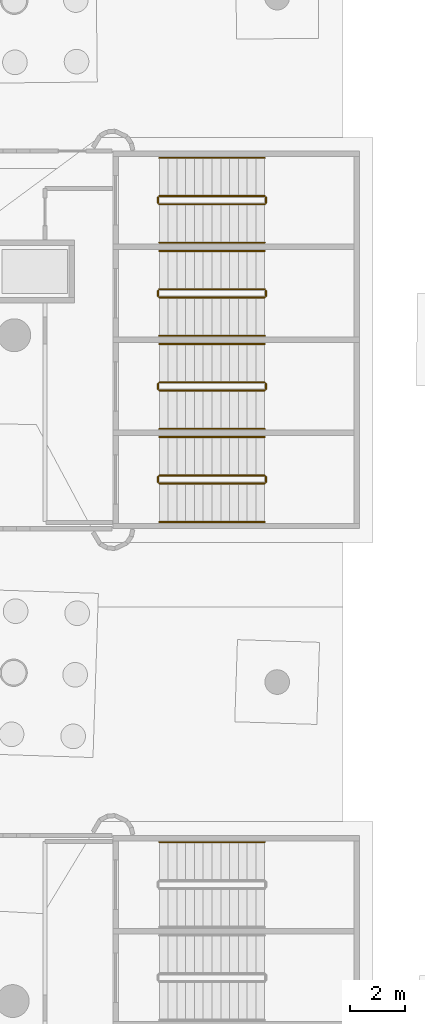
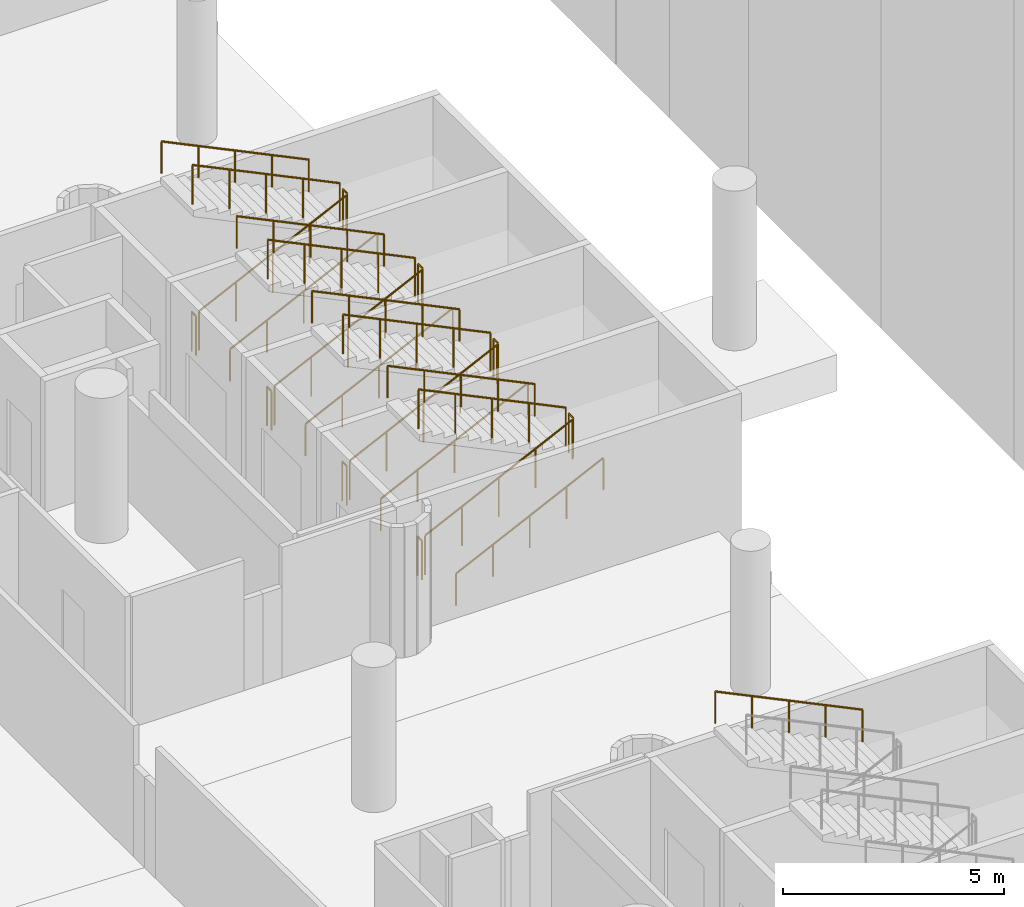
# One storey, part 126 of 142: 25 railings.
"""IFC4 building model written with IfcOpenShell, lengths in metres."""

import ifcopenshell
import ifcopenshell.guid

model = None  # the IFC model being written
_history = None  # IfcOwnerHistory: only IFC2X3 demands one
_inside = {}  # id of a spatial element -> (the spatial element, [elements in it])
_under = {}  # id of a project, library or spatial element -> (it, [spatial elements below it])
_declared = {}  # id of a project -> (the project, [libraries it declares])
_typed = {}  # id of a type object -> (the type object, [elements of that type])
_made_of = {}  # id of a material, layer set ... -> (it, [elements and type objects made of it])


def new_model(schema):
    """Start an empty IFC model of exactly this schema.

    Asked for "IFC4X3", IfcOpenShell would pick the latest addendum, in which some entities
    have other attributes; the version numbers below select the first issue.
    IFC2X3 requires an IfcOwnerHistory on every rooted entity: one is made here for all.
    """
    global model, _history
    if schema == "IFC4X3":
        model = ifcopenshell.file(schema_version=(4, 3, 0, 0))
    else:
        model = ifcopenshell.file(schema=schema)
    _inside.clear()
    _under.clear()
    _declared.clear()
    _typed.clear()
    _made_of.clear()
    _history = None
    if model.schema == "IFC2X3":
        org = make("IfcOrganization", Name="unknown")
        user = make(
            "IfcPersonAndOrganization",
            ThePerson=make("IfcPerson", FamilyName="unknown"),
            TheOrganization=org,
        )
        app = make(
            "IfcApplication",
            ApplicationDeveloper=org,
            Version="unknown",
            ApplicationFullName="unknown",
            ApplicationIdentifier="unknown",
        )
        _history = make(
            "IfcOwnerHistory",
            OwningUser=user,
            OwningApplication=app,
            ChangeAction="ADDED",
            CreationDate=0,
        )
    return model


def make(cls, **values):
    """One entity of the class cls with the attributes given. An attribute that is None is left unset."""
    return model.create_entity(
        cls, **{name: value for name, value in values.items() if value is not None}
    )


def rooted(cls, **values):
    """An entity with a GlobalId (a new one), such as an element, a storey or a relation."""
    return make(cls, GlobalId=ifcopenshell.guid.new(), OwnerHistory=_history, **values)


def si_unit(unit_type, name, prefix=None):
    """IfcSIUnit, for example si_unit("LENGTHUNIT", "METRE", prefix="MILLI")."""
    return make("IfcSIUnit", UnitType=unit_type, Prefix=prefix, Name=name)


def assignment(units):
    """IfcUnitAssignment: the units of a project."""
    return None if units is None else make("IfcUnitAssignment", Units=units)


def point(xyz):
    """IfcCartesianPoint."""
    return None if xyz is None else make("IfcCartesianPoint", Coordinates=xyz)


def direction(xyz):
    """IfcDirection."""
    return None if xyz is None else make("IfcDirection", DirectionRatios=xyz)


def frame(location, z_axis=None, x_axis=None):
    """IfcAxis2Placement3D, a coordinate frame: its origin and axes. An axis left out is left unset."""
    return make(
        "IfcAxis2Placement3D",
        Location=point(location),
        Axis=direction(z_axis),
        RefDirection=direction(x_axis),
    )


def frame_2d(location, x_axis=None):
    """IfcAxis2Placement2D, a coordinate frame in the plane: its origin and x axis."""
    return make(
        "IfcAxis2Placement2D", Location=point(location), RefDirection=direction(x_axis)
    )


def origin():
    """The frame at (0, 0, 0) with its axes left unset."""
    return frame((0.0, 0.0, 0.0))


def origin_2d():
    """The frame at (0, 0) in the plane with its x axis left unset."""
    return frame_2d((0.0, 0.0))


def place(relative_to, where):
    """IfcLocalPlacement: puts the frame where relative to a parent placement (None: the world)."""
    return make(
        "IfcLocalPlacement", PlacementRelTo=relative_to, RelativePlacement=where
    )


def context(
    kind, dimensions, precision=None, world=None, true_north=None, identifier=None
):
    """IfcGeometricRepresentationContext, for example the 3D "Model" context."""
    return make(
        "IfcGeometricRepresentationContext",
        ContextIdentifier=identifier,
        ContextType=kind,
        CoordinateSpaceDimension=dimensions,
        Precision=precision,
        WorldCoordinateSystem=world,
        TrueNorth=true_north,
    )


def subcontext(parent, identifier, kind, view, scale=None):
    """IfcGeometricRepresentationSubContext, for example "Body" below "Model"."""
    return make(
        "IfcGeometricRepresentationSubContext",
        ContextIdentifier=identifier,
        ContextType=kind,
        ParentContext=parent,
        TargetScale=scale,
        TargetView=view,
    )


def project(units=None, contexts=None):
    """IfcProject with its units and contexts."""
    return rooted(
        "IfcProject",
        Name="project",
        RepresentationContexts=contexts,
        UnitsInContext=assignment(units),
    )


def spatial(cls, under=None, at=None, **own):
    """A site, building, storey or space (cls), placed at a placement, below another one or the project."""
    s = rooted(cls, ObjectPlacement=at, **own)
    if under is not None:
        _under.setdefault(under.id(), (under, []))[1].append(s)
    return s


def profile(cls, at=None, kind="AREA", **sizes):
    """A parametric profile (cls). Its sizes go by their IFC names, for example OverallWidth=200.0."""
    return make(cls, ProfileType=kind, Position=at, **sizes)


def circle(**sizes):
    """IfcCircleProfileDef."""
    return profile("IfcCircleProfileDef", **sizes)


def extrude(swept, where, along, depth):
    """IfcExtrudedAreaSolid: the profile swept, set in the frame where, extruded along a direction by depth."""
    return make(
        "IfcExtrudedAreaSolid",
        SweptArea=swept,
        Position=where,
        ExtrudedDirection=direction(along),
        Depth=depth,
    )


def shape(context_of_items, identifier, shape_type, items):
    """IfcShapeRepresentation: the items that make up one representation, for example the "Body"."""
    return make(
        "IfcShapeRepresentation",
        ContextOfItems=context_of_items,
        RepresentationIdentifier=identifier,
        RepresentationType=shape_type,
        Items=items,
    )


def material(Name=None, Category=None):
    """IfcMaterial."""
    return make("IfcMaterial", Name=Name, Category=Category)


def made_of(thing, what):
    """Note that an element or type object is made of a material, layer set ...; save() writes the relation."""
    if what is not None:
        _made_of.setdefault(what.id(), (what, []))[1].append(thing)
    return thing


def type_object(cls, material=None, **own):
    """A type object (cls), such as IfcWallType, which elements share."""
    return made_of(rooted(cls, **own), material)


def element(
    cls,
    number,
    at=None,
    inside=None,
    cuts=None,
    type_object=None,
    material=None,
    context=None,
    identifier="Body",
    shape_type=None,
    held_by="IfcProductDefinitionShape",
    body=None,
    shapes=None,
    **own,
):
    """One element of the class cls, such as IfcWall. Its Tag is "e" and its number.

    at: its placement. inside: the storey or other place that contains it. cuts: it is an
    opening in that element (IfcRelVoidsElement). A single representation is given by context,
    identifier, shape_type and body (its items); several are given by shapes. held_by: the class
    of the entity that holds the representations. save() writes the other relations.
    """
    e = rooted(cls, Tag="e%d" % number, ObjectPlacement=at, **own)
    if body is not None:
        shapes = [shape(context, identifier, shape_type, body)]
    if shapes is not None:
        e.Representation = make(held_by, Representations=shapes)
    if inside is not None:
        _inside.setdefault(inside.id(), (inside, []))[1].append(e)
    if cuts is not None:
        rooted(
            "IfcRelVoidsElement", RelatingBuildingElement=cuts, RelatedOpeningElement=e
        )
    if type_object is not None:
        _typed.setdefault(type_object.id(), (type_object, []))[1].append(e)
    return made_of(e, material)


def aggregate(whole, parts):
    """IfcRelAggregates: a whole, such as a stair, and the parts it consists of."""
    return rooted("IfcRelAggregates", RelatingObject=whole, RelatedObjects=parts)


def save(model, path):
    """Write the relations noted so far, then the file.

    IfcRelAggregates (storeys below a building ...), IfcRelContainedInSpatialStructure (elements
    in a storey), IfcRelDefinesByType, IfcRelAssociatesMaterial and IfcRelDeclares: one each for
    every whole, place, type object, material and project.
    """
    for whole, parts in _under.values():
        aggregate(whole, parts)
    for where, things in _inside.values():
        rooted(
            "IfcRelContainedInSpatialStructure",
            RelatedElements=things,
            RelatingStructure=where,
        )
    for kind, things in _typed.values():
        rooted("IfcRelDefinesByType", RelatedObjects=things, RelatingType=kind)
    for what, things in _made_of.values():
        rooted("IfcRelAssociatesMaterial", RelatedObjects=things, RelatingMaterial=what)
    for by, libraries in _declared.values():
        rooted("IfcRelDeclares", RelatingContext=by, RelatedDefinitions=libraries)
    model.write(path)


model = new_model("IFC4")

# Units and contexts
model_context = context("Model", 3, precision=1e-05, world=origin(), true_north=direction((0.0, 1.0)))
body_context = subcontext(model_context, "Body", "Model", "MODEL_VIEW")
ifc_project = project(units=[si_unit("LENGTHUNIT", "METRE"), si_unit("AREAUNIT", "SQUARE_METRE"), si_unit("VOLUMEUNIT", "CUBIC_METRE"), si_unit("PLANEANGLEUNIT", "RADIAN"), si_unit("MASSUNIT", "GRAM", prefix="KILO")], contexts=[model_context])

# Site, building, storey
site_placement = place(None, origin())
site = spatial("IfcSite", under=ifc_project, at=site_placement, CompositionType="ELEMENT")
building_placement = place(site_placement, origin())
building = spatial("IfcBuilding", under=site, at=building_placement, Name="Meseta Stadium", CompositionType="ELEMENT")
storey_placement = place(building_placement, frame((0.0, 0.0, -4.0)))
storey = spatial("IfcBuildingStorey", under=building, at=storey_placement, Name="B1", CompositionType="ELEMENT", Elevation=-4.0)

# Railings
ifc_material_1 = material(Name="Steel S355", Category="steel")
railing_type_1 = type_object("IfcRailingType", Name="Stair guard 1100", PredefinedType="GUARDRAIL", material=ifc_material_1)
railing_1_placement = place(storey_placement, frame((90.300048828125, -11.5, 0.15380859375)))
element("IfcRailing", 1, at=railing_1_placement, inside=storey, type_object=railing_type_1, Name="ST9 B1 guard 1", PredefinedType="GUARDRAIL", context=body_context, shape_type="SweptSolid", body=[
    extrude(circle(Radius=0.02392578125, at=origin_2d()), frame((0.0, 0.0, 1.076171875), z_axis=(0.901242096526, 0.0, 0.43331591645), x_axis=(0.0, 1.0, 0.0)), (0.0, 0.0, 1.0), 4.260498046875),
    extrude(circle(Radius=0.02099609375, at=origin_2d()), origin(), (0.0, 0.0, 1.0), 1.052001953125),
    extrude(circle(Radius=0.02099609375, at=origin_2d()), frame((0.9599609375, 0.0, 0.46142578125)), (0.0, 0.0, 1.0), 1.052001953125),
    extrude(circle(Radius=0.02099609375, at=origin_2d()), frame((1.919921875, 0.0, 0.923095703125)), (0.0, 0.0, 1.0), 1.052001953125),
    extrude(circle(Radius=0.02099609375, at=origin_2d()), frame((2.8798828125, 0.0, 1.384765625)), (0.0, 0.0, 1.0), 1.052001953125),
    extrude(circle(Radius=0.02099609375, at=origin_2d()), frame((3.83984375, 0.0, 1.84619140625)), (0.0, 0.0, 1.0), 1.052001953125),
])
railing_2_placement = place(storey_placement, frame((94.18994140625, -11.449951171875, 2.0)))
element("IfcRailing", 2, at=railing_2_placement, inside=storey, type_object=railing_type_1, Name="ST9 B1 guard 2", PredefinedType="GUARDRAIL", context=body_context, shape_type="SweptSolid", body=[
    extrude(circle(Radius=0.02392578125, at=origin_2d()), frame((0.0, 0.0, 1.076171875), z_axis=(0.0, 1.0, 0.0), x_axis=(-1.0, 0.0, 0.0)), (0.0, 0.0, 1.0), 0.199951171875),
    extrude(circle(Radius=0.02099609375, at=origin_2d()), origin(), (0.0, 0.0, 1.0), 1.052001953125),
    extrude(circle(Radius=0.02099609375, at=origin_2d()), frame((0.0, 0.199951171875, 0.0)), (0.0, 0.0, 1.0), 1.052001953125),
])
railing_3_placement = place(storey_placement, frame((94.139892578125, -11.199951171875, 2.15380859375)))
element("IfcRailing", 3, at=railing_3_placement, inside=storey, type_object=railing_type_1, Name="ST9 B1 guard 3", PredefinedType="GUARDRAIL", context=body_context, shape_type="SweptSolid", body=[
    extrude(circle(Radius=0.02392578125, at=origin_2d()), frame((0.0, 0.0, 1.076171875), z_axis=(-0.901242096526, 0.0, 0.43331591645), x_axis=(0.0, -1.0, 0.0)), (0.0, 0.0, 1.0), 4.260498046875),
    extrude(circle(Radius=0.02099609375, at=origin_2d()), origin(), (0.0, 0.0, 1.0), 1.052001953125),
    extrude(circle(Radius=0.02099609375, at=origin_2d()), frame((-0.9599609375, 0.0, 0.46142578125)), (0.0, 0.0, 1.0), 1.052001953125),
    extrude(circle(Radius=0.02099609375, at=origin_2d()), frame((-1.919921875, 0.0, 0.923095703125)), (0.0, 0.0, 1.0), 1.052001953125),
    extrude(circle(Radius=0.02099609375, at=origin_2d()), frame((-2.8798828125, 0.0, 1.384765625)), (0.0, 0.0, 1.0), 1.052001953125),
    extrude(circle(Radius=0.02099609375, at=origin_2d()), frame((-3.83984375, 0.0, 1.84619140625)), (0.0, 0.0, 1.0), 1.052001953125),
])
railing_4_placement = place(storey_placement, frame((90.25, -11.449951171875, 0.0)))
element("IfcRailing", 4, at=railing_4_placement, inside=storey, type_object=railing_type_1, Name="ST9 B1 guard 4", PredefinedType="GUARDRAIL", context=body_context, shape_type="SweptSolid", body=[
    extrude(circle(Radius=0.02392578125, at=origin_2d()), frame((0.0, 0.0, 1.076171875), z_axis=(0.0, 1.0, 0.0), x_axis=(-1.0, 0.0, 0.0)), (0.0, 0.0, 1.0), 0.199951171875),
    extrude(circle(Radius=0.02099609375, at=origin_2d()), origin(), (0.0, 0.0, 1.0), 1.052001953125),
    extrude(circle(Radius=0.02099609375, at=origin_2d()), frame((0.0, 0.199951171875, 0.0)), (0.0, 0.0, 1.0), 1.052001953125),
])
railing_5_placement = place(storey_placement, frame((90.300048828125, -8.10009765625, 0.15380859375)))
element("IfcRailing", 5, at=railing_5_placement, inside=storey, type_object=railing_type_1, Name="ST10 B1 guard 1", PredefinedType="GUARDRAIL", context=body_context, shape_type="SweptSolid", body=[
    extrude(circle(Radius=0.02392578125, at=origin_2d()), frame((0.0, 0.0, 1.076171875), z_axis=(0.901242096526, 0.0, 0.43331591645), x_axis=(0.0, 1.0, 0.0)), (0.0, 0.0, 1.0), 4.260498046875),
    extrude(circle(Radius=0.02099609375, at=origin_2d()), origin(), (0.0, 0.0, 1.0), 1.052001953125),
    extrude(circle(Radius=0.02099609375, at=origin_2d()), frame((0.9599609375, 0.0, 0.46142578125)), (0.0, 0.0, 1.0), 1.052001953125),
    extrude(circle(Radius=0.02099609375, at=origin_2d()), frame((1.919921875, 0.0, 0.923095703125)), (0.0, 0.0, 1.0), 1.052001953125),
    extrude(circle(Radius=0.02099609375, at=origin_2d()), frame((2.8798828125, 0.0, 1.384765625)), (0.0, 0.0, 1.0), 1.052001953125),
    extrude(circle(Radius=0.02099609375, at=origin_2d()), frame((3.83984375, 0.0, 1.84619140625)), (0.0, 0.0, 1.0), 1.052001953125),
])
railing_6_placement = place(storey_placement, frame((94.18994140625, -8.050048828125, 2.0)))
element("IfcRailing", 6, at=railing_6_placement, inside=storey, type_object=railing_type_1, Name="ST10 B1 guard 2", PredefinedType="GUARDRAIL", context=body_context, shape_type="SweptSolid", body=[
    extrude(circle(Radius=0.02392578125, at=origin_2d()), frame((0.0, 0.0, 1.076171875), z_axis=(0.0, 1.0, 0.0), x_axis=(-1.0, 0.0, 0.0)), (0.0, 0.0, 1.0), 0.199951171875),
    extrude(circle(Radius=0.02099609375, at=origin_2d()), origin(), (0.0, 0.0, 1.0), 1.052001953125),
    extrude(circle(Radius=0.02099609375, at=origin_2d()), frame((0.0, 0.199951171875, 0.0)), (0.0, 0.0, 1.0), 1.052001953125),
])
railing_7_placement = place(storey_placement, frame((94.139892578125, -7.800048828125, 2.15380859375)))
element("IfcRailing", 7, at=railing_7_placement, inside=storey, type_object=railing_type_1, Name="ST10 B1 guard 3", PredefinedType="GUARDRAIL", context=body_context, shape_type="SweptSolid", body=[
    extrude(circle(Radius=0.02392578125, at=origin_2d()), frame((0.0, 0.0, 1.076171875), z_axis=(-0.901242096526, 0.0, 0.43331591645), x_axis=(0.0, -1.0, 0.0)), (0.0, 0.0, 1.0), 4.260498046875),
    extrude(circle(Radius=0.02099609375, at=origin_2d()), origin(), (0.0, 0.0, 1.0), 1.052001953125),
    extrude(circle(Radius=0.02099609375, at=origin_2d()), frame((-0.9599609375, 0.0, 0.46142578125)), (0.0, 0.0, 1.0), 1.052001953125),
    extrude(circle(Radius=0.02099609375, at=origin_2d()), frame((-1.919921875, 0.0, 0.923095703125)), (0.0, 0.0, 1.0), 1.052001953125),
    extrude(circle(Radius=0.02099609375, at=origin_2d()), frame((-2.8798828125, 0.0, 1.384765625)), (0.0, 0.0, 1.0), 1.052001953125),
    extrude(circle(Radius=0.02099609375, at=origin_2d()), frame((-3.83984375, 0.0, 1.84619140625)), (0.0, 0.0, 1.0), 1.052001953125),
])
railing_8_placement = place(storey_placement, frame((90.25, -8.050048828125, 0.0)))
element("IfcRailing", 8, at=railing_8_placement, inside=storey, type_object=railing_type_1, Name="ST10 B1 guard 4", PredefinedType="GUARDRAIL", context=body_context, shape_type="SweptSolid", body=[
    extrude(circle(Radius=0.02392578125, at=origin_2d()), frame((0.0, 0.0, 1.076171875), z_axis=(0.0, 1.0, 0.0), x_axis=(-1.0, 0.0, 0.0)), (0.0, 0.0, 1.0), 0.199951171875),
    extrude(circle(Radius=0.02099609375, at=origin_2d()), origin(), (0.0, 0.0, 1.0), 1.052001953125),
    extrude(circle(Radius=0.02099609375, at=origin_2d()), frame((0.0, 0.199951171875, 0.0)), (0.0, 0.0, 1.0), 1.052001953125),
])
railing_9_placement = place(storey_placement, frame((90.300048828125, -4.699951171875, 0.15380859375)))
element("IfcRailing", 9, at=railing_9_placement, inside=storey, type_object=railing_type_1, Name="ST11 B1 guard 1", PredefinedType="GUARDRAIL", context=body_context, shape_type="SweptSolid", body=[
    extrude(circle(Radius=0.02392578125, at=origin_2d()), frame((0.0, 0.0, 1.076171875), z_axis=(0.901242096526, 0.0, 0.43331591645), x_axis=(0.0, 1.0, 0.0)), (0.0, 0.0, 1.0), 4.260498046875),
    extrude(circle(Radius=0.02099609375, at=origin_2d()), origin(), (0.0, 0.0, 1.0), 1.052001953125),
    extrude(circle(Radius=0.02099609375, at=origin_2d()), frame((0.9599609375, 0.0, 0.46142578125)), (0.0, 0.0, 1.0), 1.052001953125),
    extrude(circle(Radius=0.02099609375, at=origin_2d()), frame((1.919921875, 0.0, 0.923095703125)), (0.0, 0.0, 1.0), 1.052001953125),
    extrude(circle(Radius=0.02099609375, at=origin_2d()), frame((2.8798828125, 0.0, 1.384765625)), (0.0, 0.0, 1.0), 1.052001953125),
    extrude(circle(Radius=0.02099609375, at=origin_2d()), frame((3.83984375, 0.0, 1.84619140625)), (0.0, 0.0, 1.0), 1.052001953125),
])
railing_10_placement = place(storey_placement, frame((94.18994140625, -4.64990234375, 2.0)))
element("IfcRailing", 10, at=railing_10_placement, inside=storey, type_object=railing_type_1, Name="ST11 B1 guard 2", PredefinedType="GUARDRAIL", context=body_context, shape_type="SweptSolid", body=[
    extrude(circle(Radius=0.02392578125, at=origin_2d()), frame((0.0, 0.0, 1.076171875), z_axis=(0.0, 1.0, 0.0), x_axis=(-1.0, 0.0, 0.0)), (0.0, 0.0, 1.0), 0.199951171875),
    extrude(circle(Radius=0.02099609375, at=origin_2d()), origin(), (0.0, 0.0, 1.0), 1.052001953125),
    extrude(circle(Radius=0.02099609375, at=origin_2d()), frame((0.0, 0.199951171875, 0.0)), (0.0, 0.0, 1.0), 1.052001953125),
])
railing_11_placement = place(storey_placement, frame((94.139892578125, -4.39990234375, 2.15380859375)))
element("IfcRailing", 11, at=railing_11_placement, inside=storey, type_object=railing_type_1, Name="ST11 B1 guard 3", PredefinedType="GUARDRAIL", context=body_context, shape_type="SweptSolid", body=[
    extrude(circle(Radius=0.02392578125, at=origin_2d()), frame((0.0, 0.0, 1.076171875), z_axis=(-0.901242096526, 0.0, 0.43331591645), x_axis=(0.0, -1.0, 0.0)), (0.0, 0.0, 1.0), 4.260498046875),
    extrude(circle(Radius=0.02099609375, at=origin_2d()), origin(), (0.0, 0.0, 1.0), 1.052001953125),
    extrude(circle(Radius=0.02099609375, at=origin_2d()), frame((-0.9599609375, 0.0, 0.46142578125)), (0.0, 0.0, 1.0), 1.052001953125),
    extrude(circle(Radius=0.02099609375, at=origin_2d()), frame((-1.919921875, 0.0, 0.923095703125)), (0.0, 0.0, 1.0), 1.052001953125),
    extrude(circle(Radius=0.02099609375, at=origin_2d()), frame((-2.8798828125, 0.0, 1.384765625)), (0.0, 0.0, 1.0), 1.052001953125),
    extrude(circle(Radius=0.02099609375, at=origin_2d()), frame((-3.83984375, 0.0, 1.84619140625)), (0.0, 0.0, 1.0), 1.052001953125),
])
railing_12_placement = place(storey_placement, frame((90.25, -4.64990234375, 0.0)))
element("IfcRailing", 12, at=railing_12_placement, inside=storey, type_object=railing_type_1, Name="ST11 B1 guard 4", PredefinedType="GUARDRAIL", context=body_context, shape_type="SweptSolid", body=[
    extrude(circle(Radius=0.02392578125, at=origin_2d()), frame((0.0, 0.0, 1.076171875), z_axis=(0.0, 1.0, 0.0), x_axis=(-1.0, 0.0, 0.0)), (0.0, 0.0, 1.0), 0.199951171875),
    extrude(circle(Radius=0.02099609375, at=origin_2d()), origin(), (0.0, 0.0, 1.0), 1.052001953125),
    extrude(circle(Radius=0.02099609375, at=origin_2d()), frame((0.0, 0.199951171875, 0.0)), (0.0, 0.0, 1.0), 1.052001953125),
])
railing_13_placement = place(storey_placement, frame((90.300048828125, -1.300048828125, 0.15380859375)))
element("IfcRailing", 13, at=railing_13_placement, inside=storey, type_object=railing_type_1, Name="ST12 B1 guard 1", PredefinedType="GUARDRAIL", context=body_context, shape_type="SweptSolid", body=[
    extrude(circle(Radius=0.02392578125, at=origin_2d()), frame((0.0, 0.0, 1.076171875), z_axis=(0.901242096526, 0.0, 0.43331591645), x_axis=(0.0, 1.0, 0.0)), (0.0, 0.0, 1.0), 4.260498046875),
    extrude(circle(Radius=0.02099609375, at=origin_2d()), origin(), (0.0, 0.0, 1.0), 1.052001953125),
    extrude(circle(Radius=0.02099609375, at=origin_2d()), frame((0.9599609375, 0.0, 0.46142578125)), (0.0, 0.0, 1.0), 1.052001953125),
    extrude(circle(Radius=0.02099609375, at=origin_2d()), frame((1.919921875, 0.0, 0.923095703125)), (0.0, 0.0, 1.0), 1.052001953125),
    extrude(circle(Radius=0.02099609375, at=origin_2d()), frame((2.8798828125, 0.0, 1.384765625)), (0.0, 0.0, 1.0), 1.052001953125),
    extrude(circle(Radius=0.02099609375, at=origin_2d()), frame((3.83984375, 0.0, 1.84619140625)), (0.0, 0.0, 1.0), 1.052001953125),
])
railing_14_placement = place(storey_placement, frame((94.18994140625, -1.25, 2.0)))
element("IfcRailing", 14, at=railing_14_placement, inside=storey, type_object=railing_type_1, Name="ST12 B1 guard 2", PredefinedType="GUARDRAIL", context=body_context, shape_type="SweptSolid", body=[
    extrude(circle(Radius=0.02392578125, at=origin_2d()), frame((0.0, 0.0, 1.076171875), z_axis=(0.0, 1.0, 0.0), x_axis=(-1.0, 0.0, 0.0)), (0.0, 0.0, 1.0), 0.199951171875),
    extrude(circle(Radius=0.02099609375, at=origin_2d()), origin(), (0.0, 0.0, 1.0), 1.052001953125),
    extrude(circle(Radius=0.02099609375, at=origin_2d()), frame((0.0, 0.199951171875, 0.0)), (0.0, 0.0, 1.0), 1.052001953125),
])
railing_15_placement = place(storey_placement, frame((94.139892578125, -1.0, 2.15380859375)))
element("IfcRailing", 15, at=railing_15_placement, inside=storey, type_object=railing_type_1, Name="ST12 B1 guard 3", PredefinedType="GUARDRAIL", context=body_context, shape_type="SweptSolid", body=[
    extrude(circle(Radius=0.02392578125, at=origin_2d()), frame((0.0, 0.0, 1.076171875), z_axis=(-0.901242096526, 0.0, 0.43331591645), x_axis=(0.0, -1.0, 0.0)), (0.0, 0.0, 1.0), 4.260498046875),
    extrude(circle(Radius=0.02099609375, at=origin_2d()), origin(), (0.0, 0.0, 1.0), 1.052001953125),
    extrude(circle(Radius=0.02099609375, at=origin_2d()), frame((-0.9599609375, 0.0, 0.46142578125)), (0.0, 0.0, 1.0), 1.052001953125),
    extrude(circle(Radius=0.02099609375, at=origin_2d()), frame((-1.919921875, 0.0, 0.923095703125)), (0.0, 0.0, 1.0), 1.052001953125),
    extrude(circle(Radius=0.02099609375, at=origin_2d()), frame((-2.8798828125, 0.0, 1.384765625)), (0.0, 0.0, 1.0), 1.052001953125),
    extrude(circle(Radius=0.02099609375, at=origin_2d()), frame((-3.83984375, 0.0, 1.84619140625)), (0.0, 0.0, 1.0), 1.052001953125),
])
railing_16_placement = place(storey_placement, frame((90.25, -1.25, 0.0)))
element("IfcRailing", 16, at=railing_16_placement, inside=storey, type_object=railing_type_1, Name="ST12 B1 guard 4", PredefinedType="GUARDRAIL", context=body_context, shape_type="SweptSolid", body=[
    extrude(circle(Radius=0.02392578125, at=origin_2d()), frame((0.0, 0.0, 1.076171875), z_axis=(0.0, 1.0, 0.0), x_axis=(-1.0, 0.0, 0.0)), (0.0, 0.0, 1.0), 0.199951171875),
    extrude(circle(Radius=0.02099609375, at=origin_2d()), origin(), (0.0, 0.0, 1.0), 1.052001953125),
    extrude(circle(Radius=0.02099609375, at=origin_2d()), frame((0.0, 0.199951171875, 0.0)), (0.0, 0.0, 1.0), 1.052001953125),
])
ifc_material_2 = material(Name="Steel S355", Category="steel")
railing_type_2 = type_object("IfcRailingType", Name="Stair handrail 900", PredefinedType="HANDRAIL", material=ifc_material_2)
railing_17_placement = place(storey_placement, frame((94.139892578125, -24.60009765625, 2.15380859375)))
element("IfcRailing", 17, at=railing_17_placement, inside=storey, type_object=railing_type_2, Name="ST8 B1 handrail 2", PredefinedType="HANDRAIL", context=body_context, shape_type="SweptSolid", body=[
    extrude(circle(Radius=0.02392578125, at=origin_2d()), frame((0.0, 0.0, 0.8759765625), z_axis=(-0.901242096526, 0.0, 0.43331591645), x_axis=(0.0, -1.0, 0.0)), (0.0, 0.0, 1.0), 4.260498046875),
    extrude(circle(Radius=0.02099609375, at=origin_2d()), origin(), (0.0, 0.0, 1.0), 0.851806640625),
    extrude(circle(Radius=0.02099609375, at=origin_2d()), frame((-0.9599609375, 0.0, 0.46142578125)), (0.0, 0.0, 1.0), 0.851806640625),
    extrude(circle(Radius=0.02099609375, at=origin_2d()), frame((-1.919921875, 0.0, 0.923095703125)), (0.0, 0.0, 1.0), 0.851806640625),
    extrude(circle(Radius=0.02099609375, at=origin_2d()), frame((-2.8798828125, 0.0, 1.384765625)), (0.0, 0.0, 1.0), 0.851806640625),
    extrude(circle(Radius=0.02099609375, at=origin_2d()), frame((-3.83984375, 0.0, 1.84619140625)), (0.0, 0.0, 1.0), 0.851806640625),
])
railing_18_placement = place(storey_placement, frame((90.300048828125, -12.89990234375, 0.15380859375)))
element("IfcRailing", 18, at=railing_18_placement, inside=storey, type_object=railing_type_2, Name="ST9 B1 handrail 1", PredefinedType="HANDRAIL", context=body_context, shape_type="SweptSolid", body=[
    extrude(circle(Radius=0.02392578125, at=origin_2d()), frame((0.0, 0.0, 0.8759765625), z_axis=(0.901242096526, 0.0, 0.43331591645), x_axis=(0.0, 1.0, 0.0)), (0.0, 0.0, 1.0), 4.260498046875),
    extrude(circle(Radius=0.02099609375, at=origin_2d()), origin(), (0.0, 0.0, 1.0), 0.851806640625),
    extrude(circle(Radius=0.02099609375, at=origin_2d()), frame((0.9599609375, 0.0, 0.46142578125)), (0.0, 0.0, 1.0), 0.851806640625),
    extrude(circle(Radius=0.02099609375, at=origin_2d()), frame((1.919921875, 0.0, 0.923095703125)), (0.0, 0.0, 1.0), 0.851806640625),
    extrude(circle(Radius=0.02099609375, at=origin_2d()), frame((2.8798828125, 0.0, 1.384765625)), (0.0, 0.0, 1.0), 0.851806640625),
    extrude(circle(Radius=0.02099609375, at=origin_2d()), frame((3.83984375, 0.0, 1.84619140625)), (0.0, 0.0, 1.0), 0.851806640625),
])
railing_19_placement = place(storey_placement, frame((94.139892578125, -9.800048828125, 2.15380859375)))
element("IfcRailing", 19, at=railing_19_placement, inside=storey, type_object=railing_type_2, Name="ST9 B1 handrail 2", PredefinedType="HANDRAIL", context=body_context, shape_type="SweptSolid", body=[
    extrude(circle(Radius=0.02392578125, at=origin_2d()), frame((0.0, 0.0, 0.8759765625), z_axis=(-0.901242096526, 0.0, 0.43331591645), x_axis=(0.0, -1.0, 0.0)), (0.0, 0.0, 1.0), 4.260498046875),
    extrude(circle(Radius=0.02099609375, at=origin_2d()), origin(), (0.0, 0.0, 1.0), 0.851806640625),
    extrude(circle(Radius=0.02099609375, at=origin_2d()), frame((-0.9599609375, 0.0, 0.46142578125)), (0.0, 0.0, 1.0), 0.851806640625),
    extrude(circle(Radius=0.02099609375, at=origin_2d()), frame((-1.919921875, 0.0, 0.923095703125)), (0.0, 0.0, 1.0), 0.851806640625),
    extrude(circle(Radius=0.02099609375, at=origin_2d()), frame((-2.8798828125, 0.0, 1.384765625)), (0.0, 0.0, 1.0), 0.851806640625),
    extrude(circle(Radius=0.02099609375, at=origin_2d()), frame((-3.83984375, 0.0, 1.84619140625)), (0.0, 0.0, 1.0), 0.851806640625),
])
railing_20_placement = place(storey_placement, frame((90.300048828125, -9.5, 0.15380859375)))
element("IfcRailing", 20, at=railing_20_placement, inside=storey, type_object=railing_type_2, Name="ST10 B1 handrail 1", PredefinedType="HANDRAIL", context=body_context, shape_type="SweptSolid", body=[
    extrude(circle(Radius=0.02392578125, at=origin_2d()), frame((0.0, 0.0, 0.8759765625), z_axis=(0.901242096526, 0.0, 0.43331591645), x_axis=(0.0, 1.0, 0.0)), (0.0, 0.0, 1.0), 4.260498046875),
    extrude(circle(Radius=0.02099609375, at=origin_2d()), origin(), (0.0, 0.0, 1.0), 0.851806640625),
    extrude(circle(Radius=0.02099609375, at=origin_2d()), frame((0.9599609375, 0.0, 0.46142578125)), (0.0, 0.0, 1.0), 0.851806640625),
    extrude(circle(Radius=0.02099609375, at=origin_2d()), frame((1.919921875, 0.0, 0.923095703125)), (0.0, 0.0, 1.0), 0.851806640625),
    extrude(circle(Radius=0.02099609375, at=origin_2d()), frame((2.8798828125, 0.0, 1.384765625)), (0.0, 0.0, 1.0), 0.851806640625),
    extrude(circle(Radius=0.02099609375, at=origin_2d()), frame((3.83984375, 0.0, 1.84619140625)), (0.0, 0.0, 1.0), 0.851806640625),
])
railing_21_placement = place(storey_placement, frame((94.139892578125, -6.39990234375, 2.15380859375)))
element("IfcRailing", 21, at=railing_21_placement, inside=storey, type_object=railing_type_2, Name="ST10 B1 handrail 2", PredefinedType="HANDRAIL", context=body_context, shape_type="SweptSolid", body=[
    extrude(circle(Radius=0.02392578125, at=origin_2d()), frame((0.0, 0.0, 0.8759765625), z_axis=(-0.901242096526, 0.0, 0.43331591645), x_axis=(0.0, -1.0, 0.0)), (0.0, 0.0, 1.0), 4.260498046875),
    extrude(circle(Radius=0.02099609375, at=origin_2d()), origin(), (0.0, 0.0, 1.0), 0.851806640625),
    extrude(circle(Radius=0.02099609375, at=origin_2d()), frame((-0.9599609375, 0.0, 0.46142578125)), (0.0, 0.0, 1.0), 0.851806640625),
    extrude(circle(Radius=0.02099609375, at=origin_2d()), frame((-1.919921875, 0.0, 0.923095703125)), (0.0, 0.0, 1.0), 0.851806640625),
    extrude(circle(Radius=0.02099609375, at=origin_2d()), frame((-2.8798828125, 0.0, 1.384765625)), (0.0, 0.0, 1.0), 0.851806640625),
    extrude(circle(Radius=0.02099609375, at=origin_2d()), frame((-3.83984375, 0.0, 1.84619140625)), (0.0, 0.0, 1.0), 0.851806640625),
])
railing_22_placement = place(storey_placement, frame((90.300048828125, -6.10009765625, 0.15380859375)))
element("IfcRailing", 22, at=railing_22_placement, inside=storey, type_object=railing_type_2, Name="ST11 B1 handrail 1", PredefinedType="HANDRAIL", context=body_context, shape_type="SweptSolid", body=[
    extrude(circle(Radius=0.02392578125, at=origin_2d()), frame((0.0, 0.0, 0.8759765625), z_axis=(0.901242096526, 0.0, 0.43331591645), x_axis=(0.0, 1.0, 0.0)), (0.0, 0.0, 1.0), 4.260498046875),
    extrude(circle(Radius=0.02099609375, at=origin_2d()), origin(), (0.0, 0.0, 1.0), 0.851806640625),
    extrude(circle(Radius=0.02099609375, at=origin_2d()), frame((0.9599609375, 0.0, 0.46142578125)), (0.0, 0.0, 1.0), 0.851806640625),
    extrude(circle(Radius=0.02099609375, at=origin_2d()), frame((1.919921875, 0.0, 0.923095703125)), (0.0, 0.0, 1.0), 0.851806640625),
    extrude(circle(Radius=0.02099609375, at=origin_2d()), frame((2.8798828125, 0.0, 1.384765625)), (0.0, 0.0, 1.0), 0.851806640625),
    extrude(circle(Radius=0.02099609375, at=origin_2d()), frame((3.83984375, 0.0, 1.84619140625)), (0.0, 0.0, 1.0), 0.851806640625),
])
railing_23_placement = place(storey_placement, frame((94.139892578125, -3.0, 2.15380859375)))
element("IfcRailing", 23, at=railing_23_placement, inside=storey, type_object=railing_type_2, Name="ST11 B1 handrail 2", PredefinedType="HANDRAIL", context=body_context, shape_type="SweptSolid", body=[
    extrude(circle(Radius=0.02392578125, at=origin_2d()), frame((0.0, 0.0, 0.8759765625), z_axis=(-0.901242096526, 0.0, 0.43331591645), x_axis=(0.0, -1.0, 0.0)), (0.0, 0.0, 1.0), 4.260498046875),
    extrude(circle(Radius=0.02099609375, at=origin_2d()), origin(), (0.0, 0.0, 1.0), 0.851806640625),
    extrude(circle(Radius=0.02099609375, at=origin_2d()), frame((-0.9599609375, 0.0, 0.46142578125)), (0.0, 0.0, 1.0), 0.851806640625),
    extrude(circle(Radius=0.02099609375, at=origin_2d()), frame((-1.919921875, 0.0, 0.923095703125)), (0.0, 0.0, 1.0), 0.851806640625),
    extrude(circle(Radius=0.02099609375, at=origin_2d()), frame((-2.8798828125, 0.0, 1.384765625)), (0.0, 0.0, 1.0), 0.851806640625),
    extrude(circle(Radius=0.02099609375, at=origin_2d()), frame((-3.83984375, 0.0, 1.84619140625)), (0.0, 0.0, 1.0), 0.851806640625),
])
railing_24_placement = place(storey_placement, frame((90.300048828125, -2.699951171875, 0.15380859375)))
element("IfcRailing", 24, at=railing_24_placement, inside=storey, type_object=railing_type_2, Name="ST12 B1 handrail 1", PredefinedType="HANDRAIL", context=body_context, shape_type="SweptSolid", body=[
    extrude(circle(Radius=0.02392578125, at=origin_2d()), frame((0.0, 0.0, 0.8759765625), z_axis=(0.901242096526, 0.0, 0.43331591645), x_axis=(0.0, 1.0, 0.0)), (0.0, 0.0, 1.0), 4.260498046875),
    extrude(circle(Radius=0.02099609375, at=origin_2d()), origin(), (0.0, 0.0, 1.0), 0.851806640625),
    extrude(circle(Radius=0.02099609375, at=origin_2d()), frame((0.9599609375, 0.0, 0.46142578125)), (0.0, 0.0, 1.0), 0.851806640625),
    extrude(circle(Radius=0.02099609375, at=origin_2d()), frame((1.919921875, 0.0, 0.923095703125)), (0.0, 0.0, 1.0), 0.851806640625),
    extrude(circle(Radius=0.02099609375, at=origin_2d()), frame((2.8798828125, 0.0, 1.384765625)), (0.0, 0.0, 1.0), 0.851806640625),
    extrude(circle(Radius=0.02099609375, at=origin_2d()), frame((3.83984375, 0.0, 1.84619140625)), (0.0, 0.0, 1.0), 0.851806640625),
])
railing_25_placement = place(storey_placement, frame((94.139892578125, 0.39990234375, 2.15380859375)))
element("IfcRailing", 25, at=railing_25_placement, inside=storey, type_object=railing_type_2, Name="ST12 B1 handrail 2", PredefinedType="HANDRAIL", context=body_context, shape_type="SweptSolid", body=[
    extrude(circle(Radius=0.02392578125, at=origin_2d()), frame((0.0, 0.0, 0.8759765625), z_axis=(-0.901242096526, 0.0, 0.43331591645), x_axis=(0.0, -1.0, 0.0)), (0.0, 0.0, 1.0), 4.260498046875),
    extrude(circle(Radius=0.02099609375, at=origin_2d()), origin(), (0.0, 0.0, 1.0), 0.851806640625),
    extrude(circle(Radius=0.02099609375, at=origin_2d()), frame((-0.9599609375, 0.0, 0.46142578125)), (0.0, 0.0, 1.0), 0.851806640625),
    extrude(circle(Radius=0.02099609375, at=origin_2d()), frame((-1.919921875, 0.0, 0.923095703125)), (0.0, 0.0, 1.0), 0.851806640625),
    extrude(circle(Radius=0.02099609375, at=origin_2d()), frame((-2.8798828125, 0.0, 1.384765625)), (0.0, 0.0, 1.0), 0.851806640625),
    extrude(circle(Radius=0.02099609375, at=origin_2d()), frame((-3.83984375, 0.0, 1.84619140625)), (0.0, 0.0, 1.0), 0.851806640625),
])

save(model, "model.ifc")
